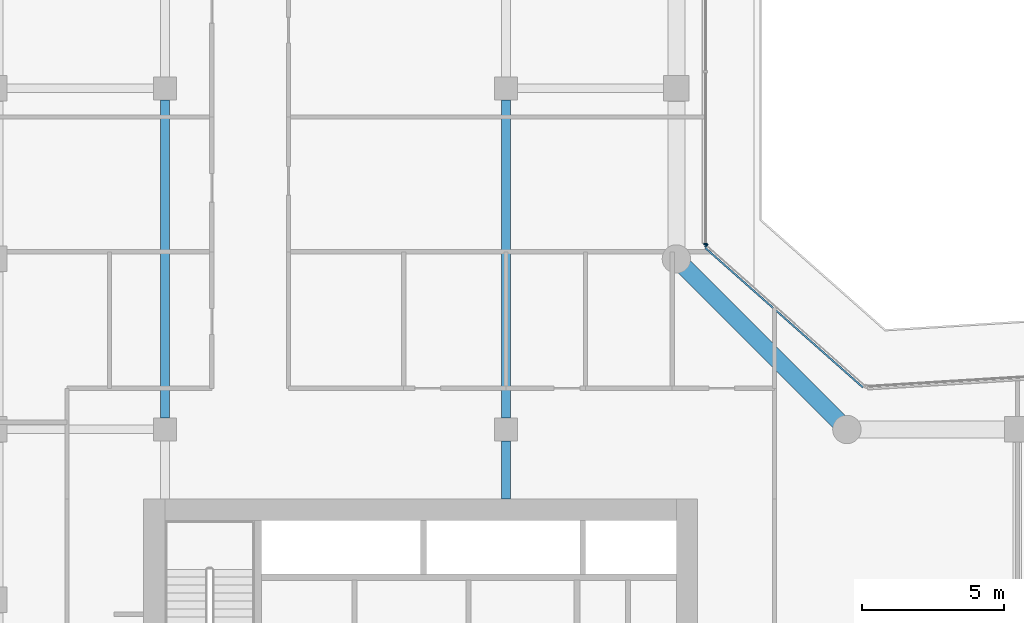
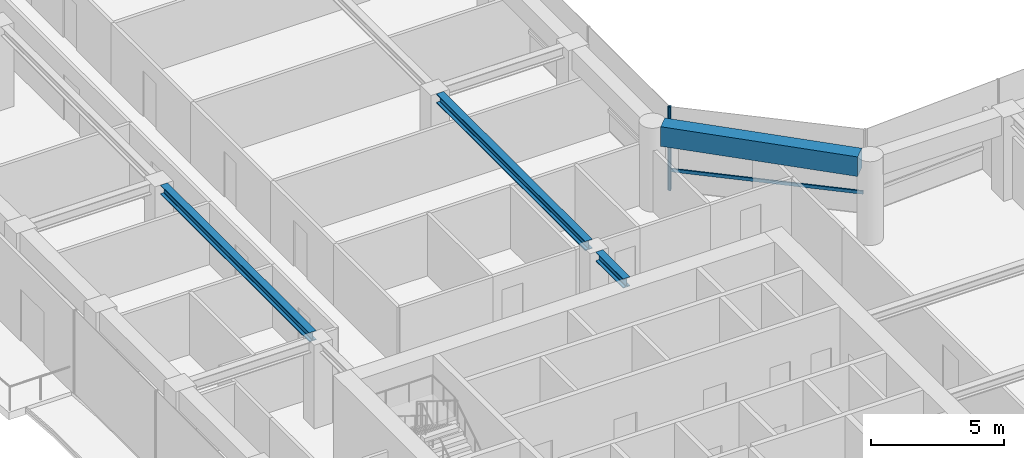
# One storey, part 5 of 23: 4 beams, 3 members, 2 elements without a shape of their own.
"""IFC4 building model written with IfcOpenShell, lengths in metres."""

from ifc_helpers import new_model, si_unit, direction, frame, origin, origin_2d, place, context, subcontext, project, spatial, rectangle, i_section, extrude, material, layer, layer_set, material_profile, profile_set, type_object, element, aggregate, save


model = new_model("IFC4")

# Units and contexts
model_context = context("Model", 3, precision=1e-05, world=origin(), true_north=direction((0.0, 1.0)))
body_context = subcontext(model_context, "Body", "Model", "MODEL_VIEW")
ifc_project = project(units=[si_unit("LENGTHUNIT", "METRE"), si_unit("AREAUNIT", "SQUARE_METRE"), si_unit("VOLUMEUNIT", "CUBIC_METRE"), si_unit("PLANEANGLEUNIT", "RADIAN"), si_unit("MASSUNIT", "GRAM", prefix="KILO")], contexts=[model_context])

# Site, building, storey
site_placement = place(None, origin())
site = spatial("IfcSite", under=ifc_project, at=site_placement, CompositionType="ELEMENT")
building_placement = place(site_placement, origin())
building = spatial("IfcBuilding", under=site, at=building_placement, Name="Welwitschia Terrace Campus", CompositionType="ELEMENT")
storey_placement = place(building_placement, frame((0.0, 0.0, 96.199951171875)))
storey = spatial("IfcBuildingStorey", under=building, at=storey_placement, Name="L21", CompositionType="ELEMENT", Elevation=96.199951171875)

# Beams
ifc_material_1 = material(Name="Steel S355", Category="steel")
ifc_material_profile_1 = material_profile(ifc_material_1, i_section(OverallWidth=0.306884765625, OverallDepth=0.431884765625, WebThickness=0.02099609375, FlangeThickness=0.0400390625, FilletRadius=0.027099609375, at=origin_2d()))
ifc_profile_set_1 = profile_set([ifc_material_profile_1], Name="Steel S355")
beam_type_1 = type_object("IfcBeamType", Name="Interior girder HE 400 M", PredefinedType="BEAM", material=ifc_profile_set_1)
beam_1_placement = place(storey_placement, frame((6.0, 28.400390625, 3.634033203125), z_axis=(0.0, 1.0, 0.0), x_axis=(-1.0, 0.0, 0.0)))
element("IfcBeam", 1, at=beam_1_placement, inside=storey, type_object=beam_type_1, Name="Girder GB3", PredefinedType="BEAM", context=body_context, shape_type="SweptSolid", body=[
    extrude(i_section(OverallWidth=0.306884765625, OverallDepth=0.431884765625, WebThickness=0.02099609375, FlangeThickness=0.0400390625, FilletRadius=0.027099609375, at=origin_2d()), origin(), (0.0, 0.0, 1.0), 11.19921875),
])
beam_2_placement = place(storey_placement, frame((18.0, 25.551025390625, 3.634033203125), z_axis=(0.0, 1.0, 0.0), x_axis=(-1.0, 0.0, 0.0)))
element("IfcBeam", 2, at=beam_2_placement, inside=storey, type_object=beam_type_1, Name="Girder GB3", PredefinedType="BEAM", context=body_context, shape_type="SweptSolid", body=[
    extrude(i_section(OverallWidth=0.306884765625, OverallDepth=0.431884765625, WebThickness=0.02099609375, FlangeThickness=0.0400390625, FilletRadius=0.027099609375, at=origin_2d()), origin(), (0.0, 0.0, 1.0), 2.048583984375),
])
beam_3_placement = place(storey_placement, frame((18.0, 28.400390625, 3.634033203125), z_axis=(0.0, 1.0, 0.0), x_axis=(-1.0, 0.0, 0.0)))
element("IfcBeam", 3, at=beam_3_placement, inside=storey, type_object=beam_type_1, Name="Girder GB3", PredefinedType="BEAM", context=body_context, shape_type="SweptSolid", body=[
    extrude(i_section(OverallWidth=0.306884765625, OverallDepth=0.431884765625, WebThickness=0.02099609375, FlangeThickness=0.0400390625, FilletRadius=0.027099609375, at=origin_2d()), origin(), (0.0, 0.0, 1.0), 11.19921875),
])

# Curtain wall, member
ifc_material_2 = material(Name="Bronze anodised aluminium", Category="aluminium")
ifc_layer = layer(ifc_material_2, 0.1201171875)
ifc_layer_set = layer_set([ifc_layer], Name="Bronze anodised aluminium")
curtain_wall_type = type_object("IfcCurtainWallType", Name="Curtain wall CW2 tower 6000", PredefinedType="NOTDEFINED", material=ifc_layer_set)
curtain_wall_1_placement = place(storey_placement, origin())
curtain_wall_1 = element("IfcCurtainWall", 4, at=curtain_wall_1_placement, inside=storey, type_object=curtain_wall_type, Name="CW L21.7.0", PredefinedType="NOTDEFINED")
ifc_material_3 = material(Name="Bronze anodised aluminium", Category="aluminium")
ifc_material_profile_2 = material_profile(ifc_material_3, rectangle(XDim=0.1201171875, YDim=0.06005859375, at=origin_2d()))
ifc_profile_set_2 = profile_set([ifc_material_profile_2], Name="Bronze anodised aluminium")
member_type_1 = type_object("IfcMemberType", Name="Mullion 60x120", PredefinedType="MULLION", material=ifc_profile_set_2)
member_1_placement = place(storey_placement, frame((25.052490234375, 34.476806640625, 0.0), z_axis=(0.0, 0.0, 1.0), x_axis=(-0.662620048216, -0.748955720789, 0.0)))
member_1 = element("IfcMember", 5, at=member_1_placement, type_object=member_type_1, Name="Mullion L21.7.0.1", PredefinedType="MULLION", context=body_context, shape_type="SweptSolid", body=[
    extrude(rectangle(XDim=0.1201171875, YDim=0.06005859375, at=origin_2d()), origin(), (0.0, 0.0, 1.0), 3.85009765625),
])

curtain_wall_2_placement = place(storey_placement, origin())
curtain_wall_2 = element("IfcCurtainWall", 6, at=curtain_wall_2_placement, inside=storey, type_object=curtain_wall_type, Name="CW L21.8.0", PredefinedType="NOTDEFINED")
member_2_placement = place(storey_placement, frame((25.030029296875, 34.526611328125, 0.0), z_axis=(0.0, 0.0, 1.0), x_axis=(-1.0, 0.0, 0.0)))
member_2 = element("IfcMember", 7, at=member_2_placement, type_object=member_type_1, Name="Mullion L21.8.0.0", PredefinedType="MULLION", context=body_context, shape_type="SweptSolid", body=[
    extrude(rectangle(XDim=0.1201171875, YDim=0.06005859375, at=origin_2d()), origin(), (0.0, 0.0, 1.0), 3.85009765625),
])
aggregate(curtain_wall_2, [member_2])

# Beam
ifc_material_4 = material(Name="Concrete C60/75", Category="concrete")
ifc_material_profile_3 = material_profile(ifc_material_4, rectangle(XDim=0.60009765625, YDim=0.89990234375, at=origin_2d()))
ifc_profile_set_3 = profile_set([ifc_material_profile_3], Name="Concrete C60/75")
beam_type_2 = type_object("IfcBeamType", Name="Ring spandrel 600x900", PredefinedType="SPANDREL", material=ifc_profile_set_3)
beam_4_placement = place(storey_placement, frame((29.716796875, 28.283203125, 3.400146484375), z_axis=(-0.707106781187, 0.707106781187, 0.0), x_axis=(-0.707106781187, -0.707106781187, 0.0)))
element("IfcBeam", 8, at=beam_4_placement, inside=storey, type_object=beam_type_2, Name="Spandrel SP2", PredefinedType="SPANDREL", context=body_context, shape_type="SweptSolid", body=[
    extrude(rectangle(XDim=0.60009765625, YDim=0.89990234375, at=origin_2d()), origin(), (0.0, 0.0, 1.0), 7.684326171875),
])

# Member
ifc_material_5 = material(Name="Bronze anodised aluminium", Category="aluminium")
ifc_material_profile_4 = material_profile(ifc_material_5, rectangle(XDim=0.06005859375, YDim=0.14990234375, at=origin_2d()))
ifc_profile_set_4 = profile_set([ifc_material_profile_4], Name="Bronze anodised aluminium")
member_type_2 = type_object("IfcMemberType", Name="Transom 60x150", PredefinedType="USERDEFINED", material=ifc_profile_set_4)
member_3_placement = place(storey_placement, frame((30.56103515625, 29.483154296875, 1.0), z_axis=(-0.748964464981, 0.662610164573, 0.0), x_axis=(-0.662610164573, -0.748964464981, 0.0)))
member_3 = element("IfcMember", 9, at=member_3_placement, type_object=member_type_2, Name="Transom L21.7.0", ObjectType="TRANSOM", PredefinedType="USERDEFINED", context=body_context, shape_type="SweptSolid", body=[
    extrude(rectangle(XDim=0.06005859375, YDim=0.14990234375, at=origin_2d()), origin(), (0.0, 0.0, 1.0), 7.404541015625),
])

aggregate(curtain_wall_1, [member_1, member_3])

save(model, "model.ifc")
